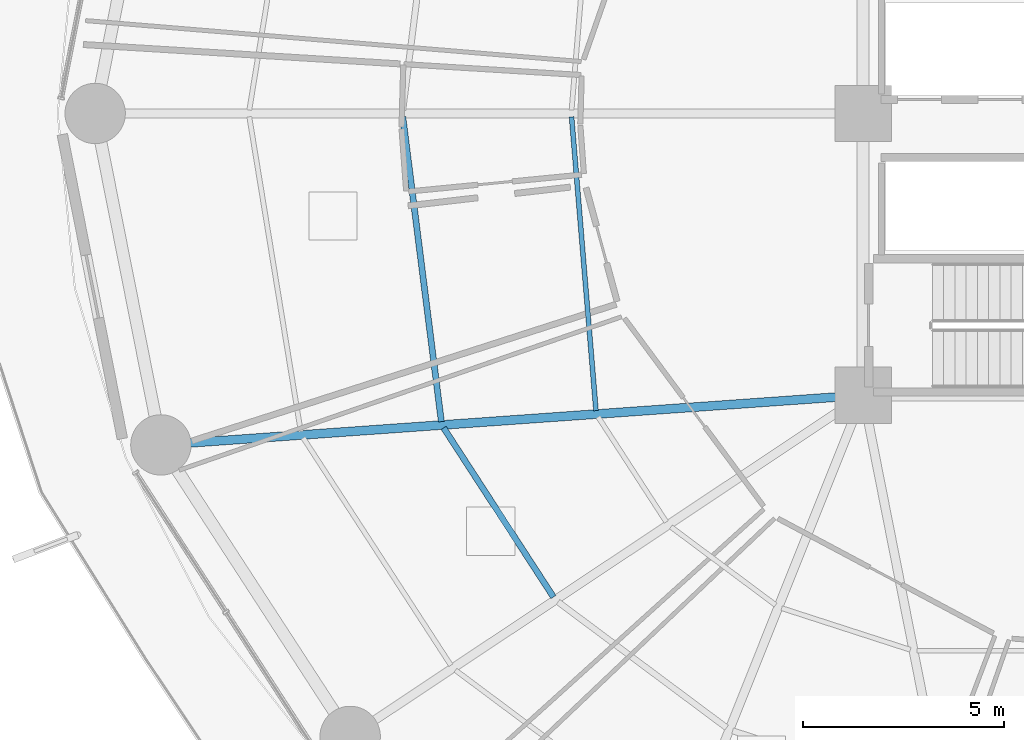
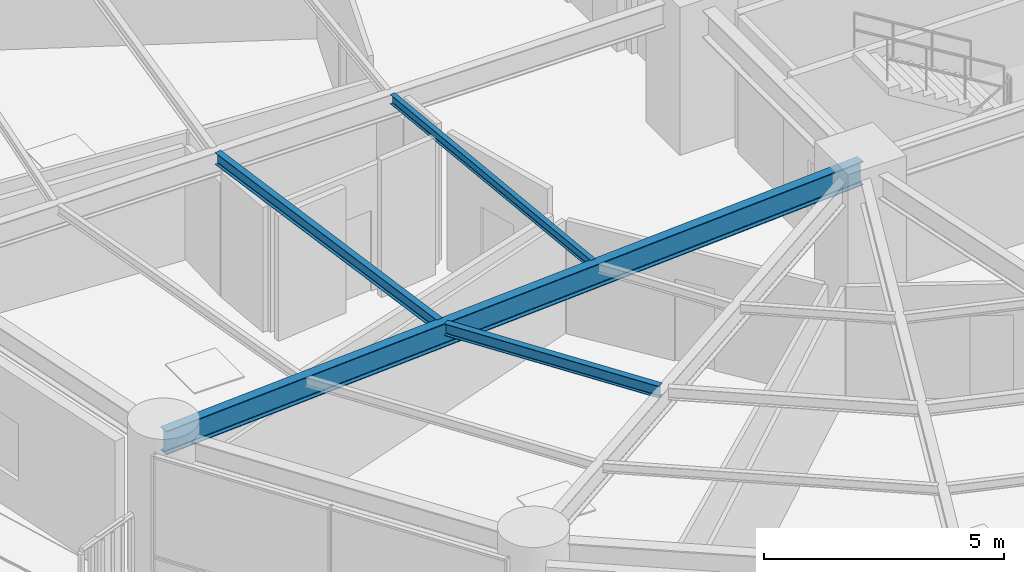
# One storey, part 5 of 32: 4 beams.
"""IFC4 building model written with IfcOpenShell, lengths in metres."""

from ifc_helpers import new_model, si_unit, direction, frame, origin, origin_2d, place, context, subcontext, project, spatial, i_section, extrude, material, material_profile, profile_set, type_object, element, save


model = new_model("IFC4")

# Units and contexts
model_context = context("Model", 3, precision=1e-05, world=origin(), true_north=direction((0.0, 1.0)))
body_context = subcontext(model_context, "Body", "Model", "MODEL_VIEW")
ifc_project = project(units=[si_unit("LENGTHUNIT", "METRE"), si_unit("AREAUNIT", "SQUARE_METRE"), si_unit("VOLUMEUNIT", "CUBIC_METRE"), si_unit("PLANEANGLEUNIT", "RADIAN"), si_unit("MASSUNIT", "GRAM", prefix="KILO")], contexts=[model_context])

# Site, building, storey
site_placement = place(None, origin())
site = spatial("IfcSite", under=ifc_project, at=site_placement, CompositionType="ELEMENT")
building_placement = place(site_placement, origin())
building = spatial("IfcBuilding", under=site, at=building_placement, Name="Kelanora Arch Commons", CompositionType="ELEMENT")
storey_placement = place(building_placement, frame((0.0, 0.0, 60.0)))
storey = spatial("IfcBuildingStorey", under=building, at=storey_placement, Name="L15", CompositionType="ELEMENT", Elevation=60.0)

# Beams
ifc_material = material(Name="Steel S355", Category="steel")
ifc_material_profile_1 = material_profile(ifc_material, i_section(OverallWidth=0.14990234375, OverallDepth=0.300048828125, WebThickness=0.007080078125, FlangeThickness=0.0107421875, FilletRadius=0.014892578125, at=origin_2d()), Name="IPE300")
ifc_profile_set_1 = profile_set([ifc_material_profile_1], Name="Steel S355")
beam_type_1 = type_object("IfcBeamType", Name="BM-JST-01", PredefinedType="JOIST", material=ifc_profile_set_1)
beam_1_placement = place(storey_placement, frame((54.562744140625, 57.915771484375, 3.340087890625), z_axis=(0.125565841651, -0.992085288375, 0.0), x_axis=(0.992085288375, 0.125565841651, 0.0)))
element("IfcBeam", 1, at=beam_1_placement, inside=storey, type_object=beam_type_1, Name="Secondary Chord Joist BJB-18 L15", PredefinedType="JOIST", context=body_context, shape_type="SweptSolid", body=[
    extrude(i_section(OverallWidth=0.14990234375, OverallDepth=0.300048828125, WebThickness=0.007080078125, FlangeThickness=0.0107421875, FilletRadius=0.014892578125, at=origin_2d()), origin(), (0.0, 0.0, 1.0), 7.63330078125),
])
beam_2_placement = place(storey_placement, frame((55.578125, 50.187255859375, 3.340087890625), z_axis=(0.544551588245, -0.838727350061, 0.0), x_axis=(0.838727350061, 0.544551588245, 0.0)))
element("IfcBeam", 2, at=beam_2_placement, inside=storey, type_object=beam_type_1, Name="Secondary Chord Joist BJB-20 L15", PredefinedType="JOIST", context=body_context, shape_type="SweptSolid", body=[
    extrude(i_section(OverallWidth=0.14990234375, OverallDepth=0.300048828125, WebThickness=0.007080078125, FlangeThickness=0.0107421875, FilletRadius=0.014892578125, at=origin_2d()), origin(), (0.0, 0.0, 1.0), 5.010986328125),
])
ifc_material_profile_2 = material_profile(ifc_material, i_section(OverallWidth=0.1201171875, OverallDepth=0.239990234375, WebThickness=0.006103515625, FlangeThickness=0.009765625, FilletRadius=0.014892578125, at=origin_2d()), Name="IPE240")
ifc_profile_set_2 = profile_set([ifc_material_profile_2], Name="Steel S355")
beam_type_2 = type_object("IfcBeamType", Name="BM-JST-02", PredefinedType="JOIST", material=ifc_profile_set_2)
beam_3_placement = place(storey_placement, frame((58.756591796875, 57.915283203125, 3.3701171875), z_axis=(0.082786209886, -0.996567330115, 0.0), x_axis=(0.996567330115, 0.082786209886, 0.0)))
element("IfcBeam", 3, at=beam_3_placement, inside=storey, type_object=beam_type_2, Name="Secondary Chord Joist BJA-18 L15", PredefinedType="JOIST", context=body_context, shape_type="SweptSolid", body=[
    extrude(i_section(OverallWidth=0.1201171875, OverallDepth=0.239990234375, WebThickness=0.006103515625, FlangeThickness=0.009765625, FilletRadius=0.014892578125, at=origin_2d()), origin(), (0.0, 0.0, 1.0), 7.325439453125),
])
ifc_material_profile_3 = material_profile(ifc_material, i_section(OverallWidth=0.219970703125, OverallDepth=0.60009765625, WebThickness=0.011962890625, FlangeThickness=0.01904296875, FilletRadius=0.02392578125, at=origin_2d()), Name="IPE600")
ifc_profile_set_3 = profile_set([ifc_material_profile_3], Name="Steel S355")
beam_type_3 = type_object("IfcBeamType", Name="BM-RAD-Z1", PredefinedType="BEAM", material=ifc_profile_set_3)
beam_4_placement = place(storey_placement, frame((66.0, 51.0, 3.18994140625), z_axis=(-0.997500683472, -0.070656821848, 0.0), x_axis=(0.070656821848, -0.997500683472, 0.0)))
element("IfcBeam", 4, at=beam_4_placement, inside=storey, type_object=beam_type_3, Name="Radial Floor Girder BR-20 L15", PredefinedType="BEAM", context=body_context, shape_type="SweptSolid", body=[
    extrude(i_section(OverallWidth=0.219970703125, OverallDepth=0.60009765625, WebThickness=0.011962890625, FlangeThickness=0.01904296875, FilletRadius=0.02392578125, at=origin_2d()), origin(), (0.0, 0.0, 1.0), 17.49072265625),
])

save(model, "model.ifc")
